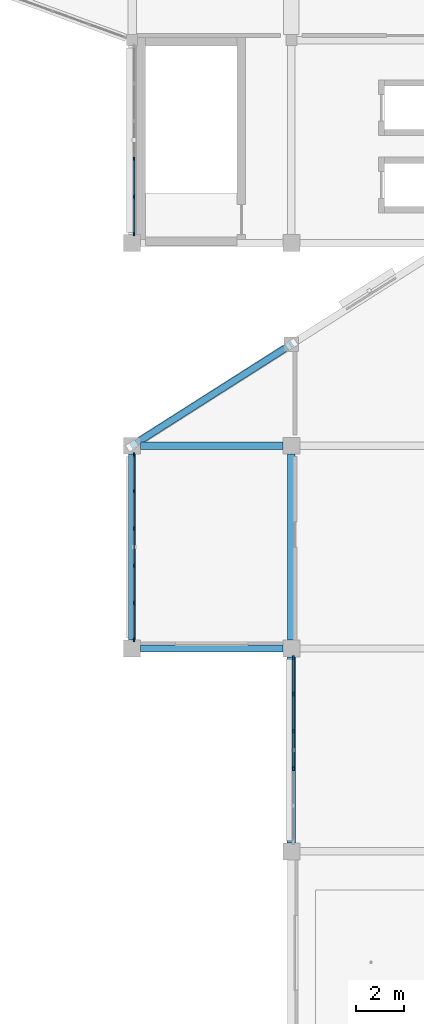
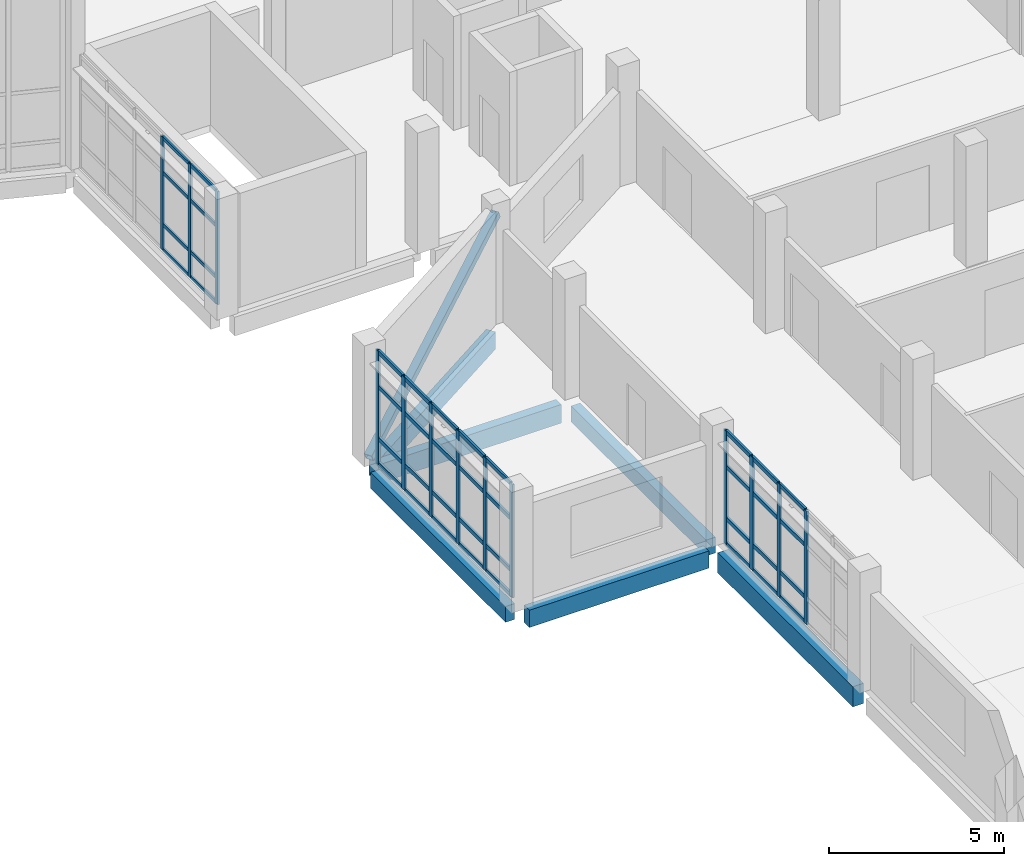
# One storey, part 28 of 78: 54 members, 6 beams, 3 elements without a shape of their own.
"""IFC4 building model written with IfcOpenShell, lengths in metres."""

from ifc_helpers import new_model, si_unit, direction, frame, origin, origin_2d, place, context, subcontext, project, spatial, rectangle, hollow_rectangle, extrude, material, material_profile, profile_set, type_object, element, aggregate, save


model = new_model("IFC4")

# Units and contexts
model_context = context("Model", 3, precision=1e-05, world=origin(), true_north=direction((0.0, 1.0)))
body_context = subcontext(model_context, "Body", "Model", "MODEL_VIEW")
ifc_project = project(units=[si_unit("LENGTHUNIT", "METRE"), si_unit("AREAUNIT", "SQUARE_METRE"), si_unit("VOLUMEUNIT", "CUBIC_METRE"), si_unit("PLANEANGLEUNIT", "RADIAN"), si_unit("MASSUNIT", "GRAM", prefix="KILO")], contexts=[model_context])

# Site, building, storey
site_placement = place(None, origin())
site = spatial("IfcSite", under=ifc_project, at=site_placement, CompositionType="ELEMENT")
building_placement = place(site_placement, origin())
building = spatial("IfcBuilding", under=site, at=building_placement, Name="Qaldarim Faculty of Natural and Applied Sciences", CompositionType="ELEMENT")
storey_placement = place(building_placement, frame((0.0, 0.0, 18.60009765625)))
storey = spatial("IfcBuildingStorey", under=building, at=storey_placement, Name="L04", CompositionType="ELEMENT", Elevation=18.60009765625)

# Beams
ifc_material_1 = material(Name="Concrete C40/50", Category="concrete")
ifc_material_profile_1 = material_profile(ifc_material_1, rectangle(XDim=0.300048828125, YDim=0.550048828125, at=origin_2d()), Name="RC-B300x550")
ifc_profile_set_1 = profile_set([ifc_material_profile_1], Name="Concrete C40/50")
beam_type_1 = type_object("IfcBeamType", Name="FloorBeam-RC300x550", PredefinedType="BEAM", material=ifc_profile_set_1)
for number, where, z_axis, x_axis, name in (
    (1, (151.800048828125, 42.35009765625, -0.53515625), (0.0, 1.0, 0.0), (-1.0, 0.0, 0.0), "Beam RC-B300x550 L03 X24/Y06-Y07"),
    (2, (158.39990234375, 42.35009765625, -0.53515625), (0.0, 1.0, 0.0), (-1.0, 0.0, 0.0), "Beam RC-B300x550 L03 X25/Y06-Y07"),
):
    element("IfcBeam", number, at=place(storey_placement, frame(where, z_axis=z_axis, x_axis=x_axis)), inside=storey, type_object=beam_type_1, Name=name, PredefinedType="BEAM", context=body_context, shape_type="SweptSolid", body=[
        extrude(rectangle(XDim=0.300048828125, YDim=0.550048828125, at=origin_2d()), origin(), (0.0, 0.0, 1.0), 7.699951171875),
    ])

# Member
ifc_material_2 = material(Name="Structural steel S355", Category="steel")
ifc_material_profile_2 = material_profile(ifc_material_2, hollow_rectangle(XDim=0.25, YDim=0.25, WallThickness=0.01611328125, at=origin_2d()), Name="SHS 250x250x16.0")
ifc_profile_set_2 = profile_set([ifc_material_profile_2], Name="Structural steel S355")
member_type_1 = type_object("IfcMemberType", Name="MidWingBrace-SHS250x16", PredefinedType="BRACE", material=ifc_profile_set_2)
member_1_placement = place(storey_placement, frame((151.800048828125, 50.39990234375, 0.0), z_axis=(0.764902794086, 0.486789763232, 0.421852393631), x_axis=(-0.536901743335, 0.843644781886, 0.0)))
element("IfcMember", 3, at=member_1_placement, inside=storey, type_object=member_type_1, Name="Oblique NW chamfer diagrid brace L04", PredefinedType="BRACE", context=body_context, shape_type="SweptSolid", body=[
    extrude(hollow_rectangle(XDim=0.25, YDim=0.25, WallThickness=0.01611328125, at=origin_2d()), origin(), (0.0, 0.0, 1.0), 8.62841796875),
])

# Curtain wall, members
ifc_material_3 = material(Name="Anodised aluminium AW-6063", Category="aluminium")
curtain_wall_type_1 = type_object("IfcCurtainWallType", Name="CurtainWallSystem-M1600", PredefinedType="USERDEFINED", material=ifc_material_3)
curtain_wall_1_placement = place(storey_placement, origin())
curtain_wall_1 = element("IfcCurtainWall", 4, at=curtain_wall_1_placement, inside=storey, type_object=curtain_wall_type_1, Name="Curtain wall CW-L04-W-X24Y08", ObjectType="UNITISED FACADE", PredefinedType="USERDEFINED")
ifc_material_profile_3 = material_profile(ifc_material_3, rectangle(XDim=0.06005859375, YDim=0.14990234375, at=origin_2d()), Name="ALU-M60x150")
ifc_profile_set_3 = profile_set([ifc_material_profile_3], Name="Anodised aluminium AW-6063")
member_type_2 = type_object("IfcMemberType", Name="Mullion-ALU60x150", PredefinedType="MULLION", material=ifc_profile_set_3)
member_2_placement = place(storey_placement, frame((151.8798828125, 62.279052734375, 0.0), z_axis=(0.0, 0.0, 1.0), x_axis=(1.0, 0.0, 0.0)))
member_2 = element("IfcMember", 5, at=member_2_placement, type_object=member_type_2, Name="Mullion 4 of CW-L04-W-X24Y08", PredefinedType="MULLION", context=body_context, shape_type="SweptSolid", body=[
    extrude(rectangle(XDim=0.06005859375, YDim=0.14990234375, at=origin_2d()), origin(), (0.0, 0.0, 1.0), 3.93994140625),
])
member_3_placement = place(storey_placement, frame((151.8798828125, 60.7119140625, 0.0), z_axis=(0.0, 0.0, 1.0), x_axis=(1.0, 0.0, 0.0)))
member_3 = element("IfcMember", 6, at=member_3_placement, type_object=member_type_2, Name="Mullion 5 of CW-L04-W-X24Y08", PredefinedType="MULLION", context=body_context, shape_type="SweptSolid", body=[
    extrude(rectangle(XDim=0.06005859375, YDim=0.14990234375, at=origin_2d()), origin(), (0.0, 0.0, 1.0), 3.93994140625),
])
member_4_placement = place(storey_placement, frame((151.8798828125, 59.175048828125, 0.0), z_axis=(0.0, 0.0, 1.0), x_axis=(1.0, 0.0, 0.0)))
member_4 = element("IfcMember", 7, at=member_4_placement, type_object=member_type_2, Name="Mullion 6 of CW-L04-W-X24Y08", PredefinedType="MULLION", context=body_context, shape_type="SweptSolid", body=[
    extrude(rectangle(XDim=0.06005859375, YDim=0.14990234375, at=origin_2d()), origin(), (0.0, 0.0, 1.0), 3.93994140625),
])

curtain_wall_type_2 = type_object("IfcCurtainWallType", Name="CurtainWallSystem-M1700", PredefinedType="USERDEFINED", material=ifc_material_3)
curtain_wall_2_placement = place(storey_placement, origin())
curtain_wall_2 = element("IfcCurtainWall", 8, at=curtain_wall_2_placement, inside=storey, type_object=curtain_wall_type_2, Name="Curtain wall CW-L04-W-X24Y06", ObjectType="UNITISED FACADE", PredefinedType="USERDEFINED")
ifc_material_profile_4 = material_profile(ifc_material_3, rectangle(XDim=0.070068359375, YDim=0.179931640625, at=origin_2d()), Name="ALU-M70x180")
ifc_profile_set_4 = profile_set([ifc_material_profile_4], Name="Anodised aluminium AW-6063")
member_type_3 = type_object("IfcMemberType", Name="Mullion-ALU70x180", PredefinedType="MULLION", material=ifc_profile_set_4)
member_5_placement = place(storey_placement, frame((151.8798828125, 50.02001953125, 0.0), z_axis=(0.0, 0.0, 1.0), x_axis=(1.0, 0.0, 0.0)))
member_5 = element("IfcMember", 9, at=member_5_placement, type_object=member_type_3, Name="Mullion 1 of CW-L04-W-X24Y06", PredefinedType="MULLION", context=body_context, shape_type="SweptSolid", body=[
    extrude(rectangle(XDim=0.070068359375, YDim=0.179931640625, at=origin_2d()), origin(), (0.0, 0.0, 1.0), 3.93994140625),
])
member_6_placement = place(storey_placement, frame((151.8798828125, 48.512939453125, 0.0), z_axis=(0.0, 0.0, 1.0), x_axis=(1.0, 0.0, 0.0)))
member_6 = element("IfcMember", 10, at=member_6_placement, type_object=member_type_3, Name="Mullion 2 of CW-L04-W-X24Y06", PredefinedType="MULLION", context=body_context, shape_type="SweptSolid", body=[
    extrude(rectangle(XDim=0.070068359375, YDim=0.179931640625, at=origin_2d()), origin(), (0.0, 0.0, 1.0), 3.93994140625),
])
member_7_placement = place(storey_placement, frame((151.8798828125, 46.970947265625, 0.0), z_axis=(0.0, 0.0, 1.0), x_axis=(1.0, 0.0, 0.0)))
member_7 = element("IfcMember", 11, at=member_7_placement, type_object=member_type_3, Name="Mullion 3 of CW-L04-W-X24Y06", PredefinedType="MULLION", context=body_context, shape_type="SweptSolid", body=[
    extrude(rectangle(XDim=0.070068359375, YDim=0.179931640625, at=origin_2d()), origin(), (0.0, 0.0, 1.0), 3.93994140625),
])
member_8_placement = place(storey_placement, frame((151.8798828125, 45.428955078125, 0.0), z_axis=(0.0, 0.0, 1.0), x_axis=(1.0, 0.0, 0.0)))
member_8 = element("IfcMember", 12, at=member_8_placement, type_object=member_type_3, Name="Mullion 4 of CW-L04-W-X24Y06", PredefinedType="MULLION", context=body_context, shape_type="SweptSolid", body=[
    extrude(rectangle(XDim=0.070068359375, YDim=0.179931640625, at=origin_2d()), origin(), (0.0, 0.0, 1.0), 3.93994140625),
])
member_9_placement = place(storey_placement, frame((151.8798828125, 43.886962890625, 0.0), z_axis=(0.0, 0.0, 1.0), x_axis=(1.0, 0.0, 0.0)))
member_9 = element("IfcMember", 13, at=member_9_placement, type_object=member_type_3, Name="Mullion 5 of CW-L04-W-X24Y06", PredefinedType="MULLION", context=body_context, shape_type="SweptSolid", body=[
    extrude(rectangle(XDim=0.070068359375, YDim=0.179931640625, at=origin_2d()), origin(), (0.0, 0.0, 1.0), 3.93994140625),
])
member_10_placement = place(storey_placement, frame((151.8798828125, 42.3798828125, 0.0), z_axis=(0.0, 0.0, 1.0), x_axis=(1.0, 0.0, 0.0)))
member_10 = element("IfcMember", 14, at=member_10_placement, type_object=member_type_3, Name="Mullion 6 of CW-L04-W-X24Y06", PredefinedType="MULLION", context=body_context, shape_type="SweptSolid", body=[
    extrude(rectangle(XDim=0.070068359375, YDim=0.179931640625, at=origin_2d()), origin(), (0.0, 0.0, 1.0), 3.93994140625),
])

curtain_wall_3_placement = place(storey_placement, origin())
curtain_wall_3 = element("IfcCurtainWall", 15, at=curtain_wall_3_placement, inside=storey, type_object=curtain_wall_type_2, Name="Curtain wall CW-L04-W-X25Y05", ObjectType="UNITISED FACADE", PredefinedType="USERDEFINED")
member_11_placement = place(storey_placement, frame((158.47998046875, 41.6201171875, 0.0), z_axis=(0.0, 0.0, 1.0), x_axis=(1.0, 0.0, 0.0)))
member_11 = element("IfcMember", 16, at=member_11_placement, type_object=member_type_3, Name="Mullion 1 of CW-L04-W-X25Y05", PredefinedType="MULLION", context=body_context, shape_type="SweptSolid", body=[
    extrude(rectangle(XDim=0.070068359375, YDim=0.179931640625, at=origin_2d()), origin(), (0.0, 0.0, 1.0), 3.93994140625),
])
member_12_placement = place(storey_placement, frame((158.47998046875, 40.113037109375, 0.0), z_axis=(0.0, 0.0, 1.0), x_axis=(1.0, 0.0, 0.0)))
member_12 = element("IfcMember", 17, at=member_12_placement, type_object=member_type_3, Name="Mullion 2 of CW-L04-W-X25Y05", PredefinedType="MULLION", context=body_context, shape_type="SweptSolid", body=[
    extrude(rectangle(XDim=0.070068359375, YDim=0.179931640625, at=origin_2d()), origin(), (0.0, 0.0, 1.0), 3.93994140625),
])
member_13_placement = place(storey_placement, frame((158.47998046875, 38.571044921875, 0.0), z_axis=(0.0, 0.0, 1.0), x_axis=(1.0, 0.0, 0.0)))
member_13 = element("IfcMember", 18, at=member_13_placement, type_object=member_type_3, Name="Mullion 3 of CW-L04-W-X25Y05", PredefinedType="MULLION", context=body_context, shape_type="SweptSolid", body=[
    extrude(rectangle(XDim=0.070068359375, YDim=0.179931640625, at=origin_2d()), origin(), (0.0, 0.0, 1.0), 3.93994140625),
])
member_14_placement = place(storey_placement, frame((158.47998046875, 37.029052734375, 0.0), z_axis=(0.0, 0.0, 1.0), x_axis=(1.0, 0.0, 0.0)))
member_14 = element("IfcMember", 19, at=member_14_placement, type_object=member_type_3, Name="Mullion 4 of CW-L04-W-X25Y05", PredefinedType="MULLION", context=body_context, shape_type="SweptSolid", body=[
    extrude(rectangle(XDim=0.070068359375, YDim=0.179931640625, at=origin_2d()), origin(), (0.0, 0.0, 1.0), 3.93994140625),
])

# Beams
ifc_material_profile_5 = material_profile(ifc_material_1, rectangle(XDim=0.300048828125, YDim=0.64990234375, at=origin_2d()), Name="RC-B300x650")
ifc_profile_set_5 = profile_set([ifc_material_profile_5], Name="Concrete C40/50")
beam_type_2 = type_object("IfcBeamType", Name="PrimaryBeam-RC300x650", PredefinedType="BEAM", material=ifc_profile_set_5)
beam_1_placement = place(storey_placement, frame((152.14990234375, 50.39990234375, -0.585205078125), z_axis=(1.0, 0.0, 0.0), x_axis=(0.0, 1.0, 0.0)))
element("IfcBeam", 20, at=beam_1_placement, inside=storey, type_object=beam_type_2, Name="Beam RC-B300x650 L03 X24-X25/Y07", PredefinedType="BEAM", context=body_context, shape_type="SweptSolid", body=[
    extrude(rectangle(XDim=0.300048828125, YDim=0.64990234375, at=origin_2d()), origin(), (0.0, 0.0, 1.0), 5.900146484375),
])
ifc_material_profile_6 = material_profile(ifc_material_1, rectangle(XDim=0.35009765625, YDim=0.699951171875, at=origin_2d()), Name="RC-B350x700")
ifc_profile_set_6 = profile_set([ifc_material_profile_6], Name="Concrete C40/50")
beam_type_3 = type_object("IfcBeamType", Name="PrimaryGirder-RC350x700", PredefinedType="BEAM", material=ifc_profile_set_6)
beam_2_placement = place(storey_placement, frame((158.39990234375, 33.949951171875, -0.610107421875), z_axis=(0.0, 1.0, 0.0), x_axis=(-1.0, 0.0, 0.0)))
element("IfcBeam", 21, at=beam_2_placement, inside=storey, type_object=beam_type_3, Name="Beam RC-B350x700 L03 X25/Y05-Y06", PredefinedType="BEAM", context=body_context, shape_type="SweptSolid", body=[
    extrude(rectangle(XDim=0.35009765625, YDim=0.699951171875, at=origin_2d()), origin(), (0.0, 0.0, 1.0), 7.699951171875),
])
ifc_material_4 = material(Name="Precast concrete C40/50", Category="concrete")
ifc_material_profile_7 = material_profile(ifc_material_4, rectangle(XDim=0.300048828125, YDim=0.60009765625, at=origin_2d()), Name="RC-SP300x600")
ifc_profile_set_7 = profile_set([ifc_material_profile_7], Name="Precast concrete C40/50")
beam_type_4 = type_object("IfcBeamType", Name="SpandrelBeam-RC300x600", PredefinedType="SPANDREL", material=ifc_profile_set_7)
beam_3_placement = place(storey_placement, frame((152.14990234375, 42.0, -0.56005859375), z_axis=(1.0, 0.0, 0.0), x_axis=(0.0, 1.0, 0.0)))
element("IfcBeam", 22, at=beam_3_placement, inside=storey, type_object=beam_type_4, Name="Beam RC-SP300x600 L03 X24-X25/Y06", PredefinedType="SPANDREL", context=body_context, shape_type="SweptSolid", body=[
    extrude(rectangle(XDim=0.300048828125, YDim=0.60009765625, at=origin_2d()), origin(), (0.0, 0.0, 1.0), 5.900146484375),
])
beam_4_placement = place(storey_placement, frame((152.050048828125, 50.56005859375, -0.56005859375), z_axis=(0.843776886751, 0.536694107835, 0.0), x_axis=(-0.536694107835, 0.843776886751, 0.0)))
element("IfcBeam", 23, at=beam_4_placement, inside=storey, type_object=beam_type_4, Name="Oblique NW chamfer spandrel L03 1", PredefinedType="SPANDREL", context=body_context, shape_type="SweptSolid", body=[
    extrude(rectangle(XDim=0.300048828125, YDim=0.60009765625, at=origin_2d()), origin(), (0.0, 0.0, 1.0), 7.229248046875),
])

# Member
ifc_material_profile_8 = material_profile(ifc_material_3, rectangle(XDim=0.06005859375, YDim=0.1201171875, at=origin_2d()), Name="ALU-T60x120")
ifc_profile_set_8 = profile_set([ifc_material_profile_8], Name="Anodised aluminium AW-6063")
member_type_4 = type_object("IfcMemberType", Name="Transom-ALU60x120", PredefinedType="USERDEFINED", material=ifc_profile_set_8)
member_15_placement = place(storey_placement, frame((151.8798828125, 62.2490234375, 0.02978515625), z_axis=(0.0, -1.0, 0.0), x_axis=(1.0, 0.0, 0.0)))
member_15 = element("IfcMember", 24, at=member_15_placement, type_object=member_type_4, Name="Transom 4-1 of CW-L04-W-X24Y08", ObjectType="TRANSOM", PredefinedType="USERDEFINED", context=body_context, shape_type="SweptSolid", body=[
    extrude(rectangle(XDim=0.06005859375, YDim=0.1201171875, at=origin_2d()), origin(), (0.0, 0.0, 1.0), 1.507080078125),
])

member_16_placement = place(storey_placement, frame((151.8798828125, 62.2490234375, 0.89990234375), z_axis=(0.0, -1.0, 0.0), x_axis=(1.0, 0.0, 0.0)))
member_16 = element("IfcMember", 25, at=member_16_placement, type_object=member_type_4, Name="Transom 4-2 of CW-L04-W-X24Y08", ObjectType="TRANSOM", PredefinedType="USERDEFINED", context=body_context, shape_type="SweptSolid", body=[
    extrude(rectangle(XDim=0.06005859375, YDim=0.1201171875, at=origin_2d()), origin(), (0.0, 0.0, 1.0), 1.507080078125),
])

member_17_placement = place(storey_placement, frame((151.8798828125, 62.2490234375, 2.699951171875), z_axis=(0.0, -1.0, 0.0), x_axis=(1.0, 0.0, 0.0)))
member_17 = element("IfcMember", 26, at=member_17_placement, type_object=member_type_4, Name="Transom 4-3 of CW-L04-W-X24Y08", ObjectType="TRANSOM", PredefinedType="USERDEFINED", context=body_context, shape_type="SweptSolid", body=[
    extrude(rectangle(XDim=0.06005859375, YDim=0.1201171875, at=origin_2d()), origin(), (0.0, 0.0, 1.0), 1.507080078125),
])

member_18_placement = place(storey_placement, frame((151.8798828125, 62.2490234375, 3.909912109375), z_axis=(0.0, -1.0, 0.0), x_axis=(1.0, 0.0, 0.0)))
member_18 = element("IfcMember", 27, at=member_18_placement, type_object=member_type_4, Name="Transom 4-4 of CW-L04-W-X24Y08", ObjectType="TRANSOM", PredefinedType="USERDEFINED", context=body_context, shape_type="SweptSolid", body=[
    extrude(rectangle(XDim=0.06005859375, YDim=0.1201171875, at=origin_2d()), origin(), (0.0, 0.0, 1.0), 1.507080078125),
])

member_19_placement = place(storey_placement, frame((151.8798828125, 60.681884765625, 0.02978515625), z_axis=(0.0, -1.0, 0.0), x_axis=(1.0, 0.0, 0.0)))
member_19 = element("IfcMember", 28, at=member_19_placement, type_object=member_type_4, Name="Transom 5-1 of CW-L04-W-X24Y08", ObjectType="TRANSOM", PredefinedType="USERDEFINED", context=body_context, shape_type="SweptSolid", body=[
    extrude(rectangle(XDim=0.06005859375, YDim=0.1201171875, at=origin_2d()), origin(), (0.0, 0.0, 1.0), 1.476806640625),
])

member_20_placement = place(storey_placement, frame((151.8798828125, 60.681884765625, 0.89990234375), z_axis=(0.0, -1.0, 0.0), x_axis=(1.0, 0.0, 0.0)))
member_20 = element("IfcMember", 29, at=member_20_placement, type_object=member_type_4, Name="Transom 5-2 of CW-L04-W-X24Y08", ObjectType="TRANSOM", PredefinedType="USERDEFINED", context=body_context, shape_type="SweptSolid", body=[
    extrude(rectangle(XDim=0.06005859375, YDim=0.1201171875, at=origin_2d()), origin(), (0.0, 0.0, 1.0), 1.476806640625),
])

member_21_placement = place(storey_placement, frame((151.8798828125, 60.681884765625, 2.699951171875), z_axis=(0.0, -1.0, 0.0), x_axis=(1.0, 0.0, 0.0)))
member_21 = element("IfcMember", 30, at=member_21_placement, type_object=member_type_4, Name="Transom 5-3 of CW-L04-W-X24Y08", ObjectType="TRANSOM", PredefinedType="USERDEFINED", context=body_context, shape_type="SweptSolid", body=[
    extrude(rectangle(XDim=0.06005859375, YDim=0.1201171875, at=origin_2d()), origin(), (0.0, 0.0, 1.0), 1.476806640625),
])

member_22_placement = place(storey_placement, frame((151.8798828125, 60.681884765625, 3.909912109375), z_axis=(0.0, -1.0, 0.0), x_axis=(1.0, 0.0, 0.0)))
member_22 = element("IfcMember", 31, at=member_22_placement, type_object=member_type_4, Name="Transom 5-4 of CW-L04-W-X24Y08", ObjectType="TRANSOM", PredefinedType="USERDEFINED", context=body_context, shape_type="SweptSolid", body=[
    extrude(rectangle(XDim=0.06005859375, YDim=0.1201171875, at=origin_2d()), origin(), (0.0, 0.0, 1.0), 1.476806640625),
])

aggregate(curtain_wall_1, [member_2, member_3, member_4, member_15, member_16, member_17, member_18, member_19, member_20, member_21, member_22])

ifc_material_profile_9 = material_profile(ifc_material_3, rectangle(XDim=0.070068359375, YDim=0.139892578125, at=origin_2d()), Name="ALU-T70x140")
ifc_profile_set_9 = profile_set([ifc_material_profile_9], Name="Anodised aluminium AW-6063")
member_type_5 = type_object("IfcMemberType", Name="Transom-ALU70x140", PredefinedType="USERDEFINED", material=ifc_profile_set_9)
member_23_placement = place(storey_placement, frame((151.8798828125, 49.985107421875, 0.034912109375), z_axis=(0.0, -1.0, 0.0), x_axis=(1.0, 0.0, 0.0)))
member_23 = element("IfcMember", 32, at=member_23_placement, type_object=member_type_5, Name="Transom 1-1 of CW-L04-W-X24Y06", ObjectType="TRANSOM", PredefinedType="USERDEFINED", context=body_context, shape_type="SweptSolid", body=[
    extrude(rectangle(XDim=0.070068359375, YDim=0.139892578125, at=origin_2d()), origin(), (0.0, 0.0, 1.0), 1.43701171875),
])

member_24_placement = place(storey_placement, frame((151.8798828125, 49.985107421875, 0.89990234375), z_axis=(0.0, -1.0, 0.0), x_axis=(1.0, 0.0, 0.0)))
member_24 = element("IfcMember", 33, at=member_24_placement, type_object=member_type_5, Name="Transom 1-2 of CW-L04-W-X24Y06", ObjectType="TRANSOM", PredefinedType="USERDEFINED", context=body_context, shape_type="SweptSolid", body=[
    extrude(rectangle(XDim=0.070068359375, YDim=0.139892578125, at=origin_2d()), origin(), (0.0, 0.0, 1.0), 1.43701171875),
])

member_25_placement = place(storey_placement, frame((151.8798828125, 49.985107421875, 2.699951171875), z_axis=(0.0, -1.0, 0.0), x_axis=(1.0, 0.0, 0.0)))
member_25 = element("IfcMember", 34, at=member_25_placement, type_object=member_type_5, Name="Transom 1-3 of CW-L04-W-X24Y06", ObjectType="TRANSOM", PredefinedType="USERDEFINED", context=body_context, shape_type="SweptSolid", body=[
    extrude(rectangle(XDim=0.070068359375, YDim=0.139892578125, at=origin_2d()), origin(), (0.0, 0.0, 1.0), 1.43701171875),
])

member_26_placement = place(storey_placement, frame((151.8798828125, 49.985107421875, 3.90478515625), z_axis=(0.0, -1.0, 0.0), x_axis=(1.0, 0.0, 0.0)))
member_26 = element("IfcMember", 35, at=member_26_placement, type_object=member_type_5, Name="Transom 1-4 of CW-L04-W-X24Y06", ObjectType="TRANSOM", PredefinedType="USERDEFINED", context=body_context, shape_type="SweptSolid", body=[
    extrude(rectangle(XDim=0.070068359375, YDim=0.139892578125, at=origin_2d()), origin(), (0.0, 0.0, 1.0), 1.43701171875),
])

member_27_placement = place(storey_placement, frame((151.8798828125, 48.47802734375, 0.034912109375), z_axis=(0.0, -1.0, 0.0), x_axis=(1.0, 0.0, 0.0)))
member_27 = element("IfcMember", 36, at=member_27_placement, type_object=member_type_5, Name="Transom 2-1 of CW-L04-W-X24Y06", ObjectType="TRANSOM", PredefinedType="USERDEFINED", context=body_context, shape_type="SweptSolid", body=[
    extrude(rectangle(XDim=0.070068359375, YDim=0.139892578125, at=origin_2d()), origin(), (0.0, 0.0, 1.0), 1.471923828125),
])

member_28_placement = place(storey_placement, frame((151.8798828125, 48.47802734375, 0.89990234375), z_axis=(0.0, -1.0, 0.0), x_axis=(1.0, 0.0, 0.0)))
member_28 = element("IfcMember", 37, at=member_28_placement, type_object=member_type_5, Name="Transom 2-2 of CW-L04-W-X24Y06", ObjectType="TRANSOM", PredefinedType="USERDEFINED", context=body_context, shape_type="SweptSolid", body=[
    extrude(rectangle(XDim=0.070068359375, YDim=0.139892578125, at=origin_2d()), origin(), (0.0, 0.0, 1.0), 1.471923828125),
])

member_29_placement = place(storey_placement, frame((151.8798828125, 48.47802734375, 2.699951171875), z_axis=(0.0, -1.0, 0.0), x_axis=(1.0, 0.0, 0.0)))
member_29 = element("IfcMember", 38, at=member_29_placement, type_object=member_type_5, Name="Transom 2-3 of CW-L04-W-X24Y06", ObjectType="TRANSOM", PredefinedType="USERDEFINED", context=body_context, shape_type="SweptSolid", body=[
    extrude(rectangle(XDim=0.070068359375, YDim=0.139892578125, at=origin_2d()), origin(), (0.0, 0.0, 1.0), 1.471923828125),
])

member_30_placement = place(storey_placement, frame((151.8798828125, 48.47802734375, 3.90478515625), z_axis=(0.0, -1.0, 0.0), x_axis=(1.0, 0.0, 0.0)))
member_30 = element("IfcMember", 39, at=member_30_placement, type_object=member_type_5, Name="Transom 2-4 of CW-L04-W-X24Y06", ObjectType="TRANSOM", PredefinedType="USERDEFINED", context=body_context, shape_type="SweptSolid", body=[
    extrude(rectangle(XDim=0.070068359375, YDim=0.139892578125, at=origin_2d()), origin(), (0.0, 0.0, 1.0), 1.471923828125),
])

member_31_placement = place(storey_placement, frame((151.8798828125, 46.93603515625, 0.034912109375), z_axis=(0.0, -1.0, 0.0), x_axis=(1.0, 0.0, 0.0)))
member_31 = element("IfcMember", 40, at=member_31_placement, type_object=member_type_5, Name="Transom 3-1 of CW-L04-W-X24Y06", ObjectType="TRANSOM", PredefinedType="USERDEFINED", context=body_context, shape_type="SweptSolid", body=[
    extrude(rectangle(XDim=0.070068359375, YDim=0.139892578125, at=origin_2d()), origin(), (0.0, 0.0, 1.0), 1.471923828125),
])

member_32_placement = place(storey_placement, frame((151.8798828125, 46.93603515625, 0.89990234375), z_axis=(0.0, -1.0, 0.0), x_axis=(1.0, 0.0, 0.0)))
member_32 = element("IfcMember", 41, at=member_32_placement, type_object=member_type_5, Name="Transom 3-2 of CW-L04-W-X24Y06", ObjectType="TRANSOM", PredefinedType="USERDEFINED", context=body_context, shape_type="SweptSolid", body=[
    extrude(rectangle(XDim=0.070068359375, YDim=0.139892578125, at=origin_2d()), origin(), (0.0, 0.0, 1.0), 1.471923828125),
])

member_33_placement = place(storey_placement, frame((151.8798828125, 46.93603515625, 2.699951171875), z_axis=(0.0, -1.0, 0.0), x_axis=(1.0, 0.0, 0.0)))
member_33 = element("IfcMember", 42, at=member_33_placement, type_object=member_type_5, Name="Transom 3-3 of CW-L04-W-X24Y06", ObjectType="TRANSOM", PredefinedType="USERDEFINED", context=body_context, shape_type="SweptSolid", body=[
    extrude(rectangle(XDim=0.070068359375, YDim=0.139892578125, at=origin_2d()), origin(), (0.0, 0.0, 1.0), 1.471923828125),
])

member_34_placement = place(storey_placement, frame((151.8798828125, 46.93603515625, 3.90478515625), z_axis=(0.0, -1.0, 0.0), x_axis=(1.0, 0.0, 0.0)))
member_34 = element("IfcMember", 43, at=member_34_placement, type_object=member_type_5, Name="Transom 3-4 of CW-L04-W-X24Y06", ObjectType="TRANSOM", PredefinedType="USERDEFINED", context=body_context, shape_type="SweptSolid", body=[
    extrude(rectangle(XDim=0.070068359375, YDim=0.139892578125, at=origin_2d()), origin(), (0.0, 0.0, 1.0), 1.471923828125),
])

member_35_placement = place(storey_placement, frame((151.8798828125, 45.39404296875, 0.034912109375), z_axis=(0.0, -1.0, 0.0), x_axis=(1.0, 0.0, 0.0)))
member_35 = element("IfcMember", 44, at=member_35_placement, type_object=member_type_5, Name="Transom 4-1 of CW-L04-W-X24Y06", ObjectType="TRANSOM", PredefinedType="USERDEFINED", context=body_context, shape_type="SweptSolid", body=[
    extrude(rectangle(XDim=0.070068359375, YDim=0.139892578125, at=origin_2d()), origin(), (0.0, 0.0, 1.0), 1.471923828125),
])

member_36_placement = place(storey_placement, frame((151.8798828125, 45.39404296875, 0.89990234375), z_axis=(0.0, -1.0, 0.0), x_axis=(1.0, 0.0, 0.0)))
member_36 = element("IfcMember", 45, at=member_36_placement, type_object=member_type_5, Name="Transom 4-2 of CW-L04-W-X24Y06", ObjectType="TRANSOM", PredefinedType="USERDEFINED", context=body_context, shape_type="SweptSolid", body=[
    extrude(rectangle(XDim=0.070068359375, YDim=0.139892578125, at=origin_2d()), origin(), (0.0, 0.0, 1.0), 1.471923828125),
])

member_37_placement = place(storey_placement, frame((151.8798828125, 45.39404296875, 2.699951171875), z_axis=(0.0, -1.0, 0.0), x_axis=(1.0, 0.0, 0.0)))
member_37 = element("IfcMember", 46, at=member_37_placement, type_object=member_type_5, Name="Transom 4-3 of CW-L04-W-X24Y06", ObjectType="TRANSOM", PredefinedType="USERDEFINED", context=body_context, shape_type="SweptSolid", body=[
    extrude(rectangle(XDim=0.070068359375, YDim=0.139892578125, at=origin_2d()), origin(), (0.0, 0.0, 1.0), 1.471923828125),
])

member_38_placement = place(storey_placement, frame((151.8798828125, 45.39404296875, 3.90478515625), z_axis=(0.0, -1.0, 0.0), x_axis=(1.0, 0.0, 0.0)))
member_38 = element("IfcMember", 47, at=member_38_placement, type_object=member_type_5, Name="Transom 4-4 of CW-L04-W-X24Y06", ObjectType="TRANSOM", PredefinedType="USERDEFINED", context=body_context, shape_type="SweptSolid", body=[
    extrude(rectangle(XDim=0.070068359375, YDim=0.139892578125, at=origin_2d()), origin(), (0.0, 0.0, 1.0), 1.471923828125),
])

member_39_placement = place(storey_placement, frame((151.8798828125, 43.85205078125, 0.034912109375), z_axis=(0.0, -1.0, 0.0), x_axis=(1.0, 0.0, 0.0)))
member_39 = element("IfcMember", 48, at=member_39_placement, type_object=member_type_5, Name="Transom 5-1 of CW-L04-W-X24Y06", ObjectType="TRANSOM", PredefinedType="USERDEFINED", context=body_context, shape_type="SweptSolid", body=[
    extrude(rectangle(XDim=0.070068359375, YDim=0.139892578125, at=origin_2d()), origin(), (0.0, 0.0, 1.0), 1.43701171875),
])

member_40_placement = place(storey_placement, frame((151.8798828125, 43.85205078125, 0.89990234375), z_axis=(0.0, -1.0, 0.0), x_axis=(1.0, 0.0, 0.0)))
member_40 = element("IfcMember", 49, at=member_40_placement, type_object=member_type_5, Name="Transom 5-2 of CW-L04-W-X24Y06", ObjectType="TRANSOM", PredefinedType="USERDEFINED", context=body_context, shape_type="SweptSolid", body=[
    extrude(rectangle(XDim=0.070068359375, YDim=0.139892578125, at=origin_2d()), origin(), (0.0, 0.0, 1.0), 1.43701171875),
])

member_41_placement = place(storey_placement, frame((151.8798828125, 43.85205078125, 2.699951171875), z_axis=(0.0, -1.0, 0.0), x_axis=(1.0, 0.0, 0.0)))
member_41 = element("IfcMember", 50, at=member_41_placement, type_object=member_type_5, Name="Transom 5-3 of CW-L04-W-X24Y06", ObjectType="TRANSOM", PredefinedType="USERDEFINED", context=body_context, shape_type="SweptSolid", body=[
    extrude(rectangle(XDim=0.070068359375, YDim=0.139892578125, at=origin_2d()), origin(), (0.0, 0.0, 1.0), 1.43701171875),
])

member_42_placement = place(storey_placement, frame((151.8798828125, 43.85205078125, 3.90478515625), z_axis=(0.0, -1.0, 0.0), x_axis=(1.0, 0.0, 0.0)))
member_42 = element("IfcMember", 51, at=member_42_placement, type_object=member_type_5, Name="Transom 5-4 of CW-L04-W-X24Y06", ObjectType="TRANSOM", PredefinedType="USERDEFINED", context=body_context, shape_type="SweptSolid", body=[
    extrude(rectangle(XDim=0.070068359375, YDim=0.139892578125, at=origin_2d()), origin(), (0.0, 0.0, 1.0), 1.43701171875),
])

aggregate(curtain_wall_2, [member_5, member_6, member_7, member_8, member_9, member_10, member_23, member_24, member_25, member_26, member_27, member_28, member_29, member_30, member_31, member_32, member_33, member_34, member_35, member_36, member_37, member_38, member_39, member_40, member_41, member_42])

member_43_placement = place(storey_placement, frame((158.47998046875, 41.5849609375, 0.034912109375), z_axis=(0.0, -1.0, 0.0), x_axis=(1.0, 0.0, 0.0)))
member_43 = element("IfcMember", 52, at=member_43_placement, type_object=member_type_5, Name="Transom 1-1 of CW-L04-W-X25Y05", ObjectType="TRANSOM", PredefinedType="USERDEFINED", context=body_context, shape_type="SweptSolid", body=[
    extrude(rectangle(XDim=0.070068359375, YDim=0.139892578125, at=origin_2d()), origin(), (0.0, 0.0, 1.0), 1.43701171875),
])

member_44_placement = place(storey_placement, frame((158.47998046875, 41.5849609375, 0.89990234375), z_axis=(0.0, -1.0, 0.0), x_axis=(1.0, 0.0, 0.0)))
member_44 = element("IfcMember", 53, at=member_44_placement, type_object=member_type_5, Name="Transom 1-2 of CW-L04-W-X25Y05", ObjectType="TRANSOM", PredefinedType="USERDEFINED", context=body_context, shape_type="SweptSolid", body=[
    extrude(rectangle(XDim=0.070068359375, YDim=0.139892578125, at=origin_2d()), origin(), (0.0, 0.0, 1.0), 1.43701171875),
])

member_45_placement = place(storey_placement, frame((158.47998046875, 41.5849609375, 2.699951171875), z_axis=(0.0, -1.0, 0.0), x_axis=(1.0, 0.0, 0.0)))
member_45 = element("IfcMember", 54, at=member_45_placement, type_object=member_type_5, Name="Transom 1-3 of CW-L04-W-X25Y05", ObjectType="TRANSOM", PredefinedType="USERDEFINED", context=body_context, shape_type="SweptSolid", body=[
    extrude(rectangle(XDim=0.070068359375, YDim=0.139892578125, at=origin_2d()), origin(), (0.0, 0.0, 1.0), 1.43701171875),
])

member_46_placement = place(storey_placement, frame((158.47998046875, 41.5849609375, 3.90478515625), z_axis=(0.0, -1.0, 0.0), x_axis=(1.0, 0.0, 0.0)))
member_46 = element("IfcMember", 55, at=member_46_placement, type_object=member_type_5, Name="Transom 1-4 of CW-L04-W-X25Y05", ObjectType="TRANSOM", PredefinedType="USERDEFINED", context=body_context, shape_type="SweptSolid", body=[
    extrude(rectangle(XDim=0.070068359375, YDim=0.139892578125, at=origin_2d()), origin(), (0.0, 0.0, 1.0), 1.43701171875),
])

member_47_placement = place(storey_placement, frame((158.47998046875, 40.077880859375, 0.034912109375), z_axis=(0.0, -1.0, 0.0), x_axis=(1.0, 0.0, 0.0)))
member_47 = element("IfcMember", 56, at=member_47_placement, type_object=member_type_5, Name="Transom 2-1 of CW-L04-W-X25Y05", ObjectType="TRANSOM", PredefinedType="USERDEFINED", context=body_context, shape_type="SweptSolid", body=[
    extrude(rectangle(XDim=0.070068359375, YDim=0.139892578125, at=origin_2d()), origin(), (0.0, 0.0, 1.0), 1.471923828125),
])

member_48_placement = place(storey_placement, frame((158.47998046875, 40.077880859375, 0.89990234375), z_axis=(0.0, -1.0, 0.0), x_axis=(1.0, 0.0, 0.0)))
member_48 = element("IfcMember", 57, at=member_48_placement, type_object=member_type_5, Name="Transom 2-2 of CW-L04-W-X25Y05", ObjectType="TRANSOM", PredefinedType="USERDEFINED", context=body_context, shape_type="SweptSolid", body=[
    extrude(rectangle(XDim=0.070068359375, YDim=0.139892578125, at=origin_2d()), origin(), (0.0, 0.0, 1.0), 1.471923828125),
])

member_49_placement = place(storey_placement, frame((158.47998046875, 40.077880859375, 2.699951171875), z_axis=(0.0, -1.0, 0.0), x_axis=(1.0, 0.0, 0.0)))
member_49 = element("IfcMember", 58, at=member_49_placement, type_object=member_type_5, Name="Transom 2-3 of CW-L04-W-X25Y05", ObjectType="TRANSOM", PredefinedType="USERDEFINED", context=body_context, shape_type="SweptSolid", body=[
    extrude(rectangle(XDim=0.070068359375, YDim=0.139892578125, at=origin_2d()), origin(), (0.0, 0.0, 1.0), 1.471923828125),
])

member_50_placement = place(storey_placement, frame((158.47998046875, 40.077880859375, 3.90478515625), z_axis=(0.0, -1.0, 0.0), x_axis=(1.0, 0.0, 0.0)))
member_50 = element("IfcMember", 59, at=member_50_placement, type_object=member_type_5, Name="Transom 2-4 of CW-L04-W-X25Y05", ObjectType="TRANSOM", PredefinedType="USERDEFINED", context=body_context, shape_type="SweptSolid", body=[
    extrude(rectangle(XDim=0.070068359375, YDim=0.139892578125, at=origin_2d()), origin(), (0.0, 0.0, 1.0), 1.471923828125),
])

member_51_placement = place(storey_placement, frame((158.47998046875, 38.535888671875, 0.034912109375), z_axis=(0.0, -1.0, 0.0), x_axis=(1.0, 0.0, 0.0)))
member_51 = element("IfcMember", 60, at=member_51_placement, type_object=member_type_5, Name="Transom 3-1 of CW-L04-W-X25Y05", ObjectType="TRANSOM", PredefinedType="USERDEFINED", context=body_context, shape_type="SweptSolid", body=[
    extrude(rectangle(XDim=0.070068359375, YDim=0.139892578125, at=origin_2d()), origin(), (0.0, 0.0, 1.0), 1.471923828125),
])

member_52_placement = place(storey_placement, frame((158.47998046875, 38.535888671875, 0.89990234375), z_axis=(0.0, -1.0, 0.0), x_axis=(1.0, 0.0, 0.0)))
member_52 = element("IfcMember", 61, at=member_52_placement, type_object=member_type_5, Name="Transom 3-2 of CW-L04-W-X25Y05", ObjectType="TRANSOM", PredefinedType="USERDEFINED", context=body_context, shape_type="SweptSolid", body=[
    extrude(rectangle(XDim=0.070068359375, YDim=0.139892578125, at=origin_2d()), origin(), (0.0, 0.0, 1.0), 1.471923828125),
])

member_53_placement = place(storey_placement, frame((158.47998046875, 38.535888671875, 2.699951171875), z_axis=(0.0, -1.0, 0.0), x_axis=(1.0, 0.0, 0.0)))
member_53 = element("IfcMember", 62, at=member_53_placement, type_object=member_type_5, Name="Transom 3-3 of CW-L04-W-X25Y05", ObjectType="TRANSOM", PredefinedType="USERDEFINED", context=body_context, shape_type="SweptSolid", body=[
    extrude(rectangle(XDim=0.070068359375, YDim=0.139892578125, at=origin_2d()), origin(), (0.0, 0.0, 1.0), 1.471923828125),
])

member_54_placement = place(storey_placement, frame((158.47998046875, 38.535888671875, 3.90478515625), z_axis=(0.0, -1.0, 0.0), x_axis=(1.0, 0.0, 0.0)))
member_54 = element("IfcMember", 63, at=member_54_placement, type_object=member_type_5, Name="Transom 3-4 of CW-L04-W-X25Y05", ObjectType="TRANSOM", PredefinedType="USERDEFINED", context=body_context, shape_type="SweptSolid", body=[
    extrude(rectangle(XDim=0.070068359375, YDim=0.139892578125, at=origin_2d()), origin(), (0.0, 0.0, 1.0), 1.471923828125),
])

aggregate(curtain_wall_3, [member_11, member_12, member_13, member_14, member_43, member_44, member_45, member_46, member_47, member_48, member_49, member_50, member_51, member_52, member_53, member_54])

save(model, "model.ifc")
